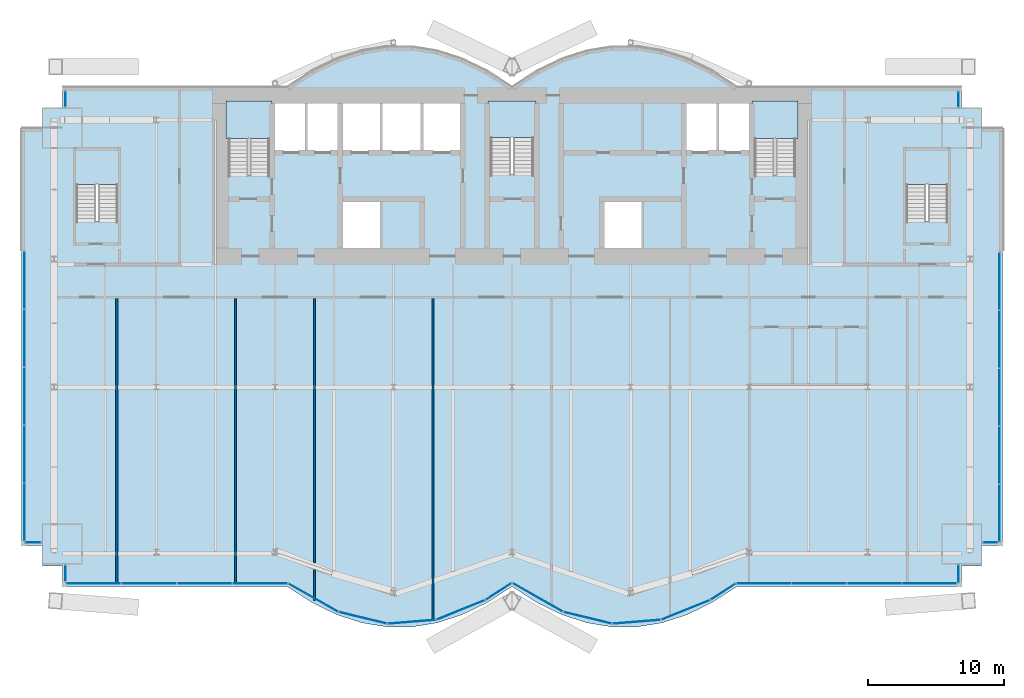
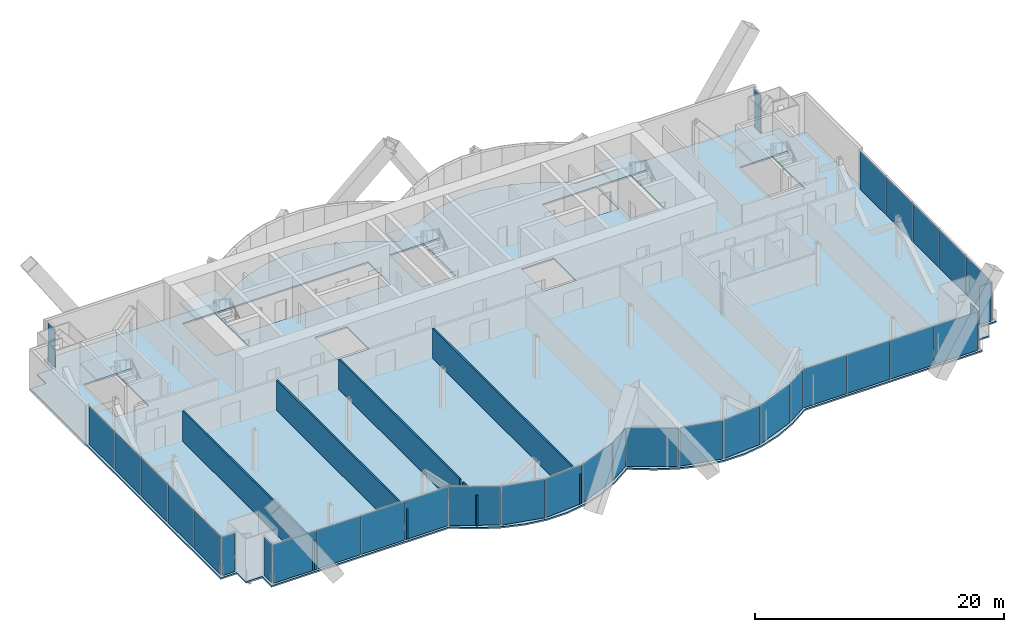
# One storey, part 14 of 21: 34 plates, 6 slabs, 5 walls, 17 elements without a shape of their own.
"""IFC4 building model written with IfcOpenShell, lengths in metres."""

from ifc_helpers import new_model, si_unit, direction, frame, frame_2d, origin, origin_2d, place, context, subcontext, project, spatial, polyline, rectangle, outline, extrude, material, layer, layer_set, type_object, element, aggregate, save


model = new_model("IFC4")

# Units and contexts
model_context = context("Model", 3, precision=1e-05, world=origin(), true_north=direction((0.0, 1.0)))
body_context = subcontext(model_context, "Body", "Model", "MODEL_VIEW")
ifc_project = project(units=[si_unit("LENGTHUNIT", "METRE"), si_unit("AREAUNIT", "SQUARE_METRE"), si_unit("VOLUMEUNIT", "CUBIC_METRE"), si_unit("PLANEANGLEUNIT", "RADIAN"), si_unit("MASSUNIT", "GRAM", prefix="KILO")], contexts=[model_context])

# Site, building, storey
site_placement = place(None, origin())
site = spatial("IfcSite", under=ifc_project, at=site_placement, CompositionType="ELEMENT")
building_placement = place(site_placement, origin())
building = spatial("IfcBuilding", under=site, at=building_placement, Name="Bicima Exchange Tower", CompositionType="ELEMENT")
storey_placement = place(building_placement, frame((0.0, 0.0, 130.89990234375)))
storey = spatial("IfcBuildingStorey", under=building, at=storey_placement, Name="L28", CompositionType="ELEMENT", Elevation=130.89990234375)

# Slab
ifc_material_1 = material(Name="Concrete C40/50", Category="concrete")
ifc_layer_1 = layer(ifc_material_1, 0.14990234375)
ifc_layer_set_1 = layer_set([ifc_layer_1], Name="Concrete C40/50")
slab_type_1 = type_object("IfcSlabType", Name="Composite floor slab 150", PredefinedType="FLOOR", material=ifc_layer_set_1)
slab_1_placement = place(storey_placement, frame((0.0, 0.0, -0.14990234375)))
element("IfcSlab", 1, at=slab_1_placement, inside=storey, type_object=slab_type_1, Name="Floor slab", PredefinedType="FLOOR", context=body_context, shape_type="SweptSolid", body=[
    extrude(outline(polyline([(-36.0, -33.632080078125), (-36.0, -3.0), (-34.5, -3.0), (-34.5, -1.5), (-33.0, -1.5), (-33.0, 0.0), (-16.5, 0.0), (-14.666748046875, 1.185302734375), (-12.833251953125, 2.07421875), (-11.0, 2.666748046875), (-9.166748046875, 2.962890625), (-7.333251953125, 2.962890625), (-5.5, 2.666748046875), (-3.666748046875, 2.07421875), (-1.833251953125, 1.185302734375), (0.0, 0.0), (1.833251953125, 1.185302734375), (3.666748046875, 2.07421875), (5.5, 2.666748046875), (7.333251953125, 2.962890625), (9.166748046875, 2.962890625), (11.0, 2.666748046875), (12.833251953125, 2.07421875), (14.666748046875, 1.185302734375), (16.5, 0.0), (33.0, 0.0), (33.0, -1.5), (34.5, -1.5), (34.5, -3.0), (36.0, -3.0), (36.0, -33.632080078125), (34.5, -33.632080078125), (34.5, -35.132080078125), (33.0, -35.132080078125), (33.0, -36.632080078125), (16.5, -36.632080078125), (14.666748046875, -37.817138671875), (12.833251953125, -38.7060546875), (11.0, -39.298583984375), (9.166748046875, -39.594970703125), (7.333251953125, -39.594970703125), (5.5, -39.298583984375), (3.666748046875, -38.7060546875), (1.833251953125, -37.817138671875), (0.0, -36.632080078125), (-1.833251953125, -37.817138671875), (-3.666748046875, -38.7060546875), (-5.5, -39.298583984375), (-7.333251953125, -39.594970703125), (-9.166748046875, -39.594970703125), (-11.0, -39.298583984375), (-12.833251953125, -38.7060546875), (-14.666748046875, -37.817138671875), (-16.5, -36.632080078125), (-33.0, -36.632080078125), (-33.0, -35.132080078125), (-34.5, -35.132080078125), (-34.5, -33.632080078125), (-36.0, -33.632080078125)]), holes=[polyline([(-9.60009765625, -11.800048828125), (-9.60009765625, -8.199951171875), (-12.60009765625, -8.199951171875), (-12.60009765625, -11.800048828125), (-9.60009765625, -11.800048828125)]), polyline([(-31.97509765625, -9.824951171875), (-28.925048828125, -9.824951171875), (-28.925048828125, -4.625), (-31.97509765625, -4.625), (-31.97509765625, -9.824951171875)]), polyline([(-20.800048828125, -6.449951171875), (-17.800048828125, -6.449951171875), (-17.800048828125, -1.199951171875), (-20.800048828125, -1.199951171875), (-20.800048828125, -6.449951171875)]), polyline([(-9.60009765625, -1.199951171875), (-12.60009765625, -1.199951171875), (-15.10009765625, -1.199951171875), (-17.60009765625, -1.199951171875), (-17.60009765625, -4.800048828125), (-15.10009765625, -4.800048828125), (-12.60009765625, -4.800048828125), (-9.60009765625, -4.800048828125), (-6.60009765625, -4.800048828125), (-3.60009765625, -4.800048828125), (-3.60009765625, -1.199951171875), (-6.60009765625, -1.199951171875), (-9.60009765625, -1.199951171875)]), polyline([(9.60009765625, -11.800048828125), (9.60009765625, -8.199951171875), (6.60009765625, -8.199951171875), (6.60009765625, -11.800048828125), (9.60009765625, -11.800048828125)]), polyline([(28.925048828125, -9.824951171875), (31.97509765625, -9.824951171875), (31.97509765625, -4.625), (28.925048828125, -4.625), (28.925048828125, -9.824951171875)]), polyline([(17.800048828125, -6.449951171875), (20.800048828125, -6.449951171875), (20.800048828125, -1.199951171875), (17.800048828125, -1.199951171875), (17.800048828125, -6.449951171875)]), polyline([(-1.574951171875, -6.39990234375), (1.574951171875, -6.39990234375), (1.574951171875, -1.199951171875), (-1.574951171875, -1.199951171875), (-1.574951171875, -6.39990234375)]), polyline([(17.60009765625, -4.800048828125), (17.60009765625, -1.199951171875), (15.10009765625, -1.199951171875), (12.60009765625, -1.199951171875), (12.60009765625, -4.800048828125), (15.10009765625, -4.800048828125), (17.60009765625, -4.800048828125)])]), origin(), (0.0, 0.0, 1.0), 0.14990234375),
])

# Curtain wall, plates
ifc_material_2 = material(Name="Anodised bronze aluminium", Category="aluminium")
curtain_wall_type_1 = type_object("IfcCurtainWallType", Name="End face glass wall", PredefinedType="NOTDEFINED", material=ifc_material_2)
curtain_wall_1_placement = place(storey_placement, origin())
curtain_wall_1 = element("IfcCurtainWall", 2, at=curtain_wall_1_placement, inside=storey, type_object=curtain_wall_type_1, Name="End face glass wall L28 run 2", PredefinedType="NOTDEFINED")
ifc_material_3 = material(Name="Bronze tinted glass", Category="glass")
ifc_layer_2 = layer(ifc_material_3, 0.031982421875)
ifc_layer_set_2 = layer_set([ifc_layer_2], Name="Bronze tinted glass")
plate_type_1 = type_object("IfcPlateType", Name="End face glass wall glass panel 32", PredefinedType="CURTAIN_PANEL", material=ifc_layer_set_2)
plate_1_placement = place(storey_placement, frame((-35.77001953125, -14.15625, 0.0), z_axis=(0.0, 0.0, 1.0), x_axis=(0.0, -1.0, 0.0)))
plate_1 = element("IfcPlate", 3, at=plate_1_placement, type_object=plate_type_1, Name="End face glass wall panel 1.1", PredefinedType="CURTAIN_PANEL", context=body_context, shape_type="SweptSolid", body=[
    extrude(rectangle(XDim=4.1923828125, YDim=0.031982421875, at=origin_2d()), origin(), (0.0, 0.0, 1.0), 3.760009765625),
])
plate_2_placement = place(storey_placement, frame((-35.77001953125, -18.40869140625, 0.0), z_axis=(0.0, 0.0, 1.0), x_axis=(0.0, -1.0, 0.0)))
plate_2 = element("IfcPlate", 4, at=plate_2_placement, type_object=plate_type_1, Name="End face glass wall panel 2.1", PredefinedType="CURTAIN_PANEL", context=body_context, shape_type="SweptSolid", body=[
    extrude(rectangle(XDim=4.1923828125, YDim=0.031982421875, at=origin_2d()), origin(), (0.0, 0.0, 1.0), 3.760009765625),
])
plate_3_placement = place(storey_placement, frame((-35.77001953125, -22.660888671875, 0.0), z_axis=(0.0, 0.0, 1.0), x_axis=(0.0, -1.0, 0.0)))
plate_3 = element("IfcPlate", 5, at=plate_3_placement, type_object=plate_type_1, Name="End face glass wall panel 3.1", PredefinedType="CURTAIN_PANEL", context=body_context, shape_type="SweptSolid", body=[
    extrude(rectangle(XDim=4.1923828125, YDim=0.031982421875, at=origin_2d()), origin(), (0.0, 0.0, 1.0), 3.760009765625),
])

curtain_wall_2_placement = place(storey_placement, origin())
curtain_wall_2 = element("IfcCurtainWall", 6, at=curtain_wall_2_placement, inside=storey, type_object=curtain_wall_type_1, Name="End face glass wall L28 run 19", PredefinedType="NOTDEFINED")
plate_4_placement = place(storey_placement, frame((35.77001953125, -22.740966796875, 0.0), z_axis=(0.0, 0.0, 1.0), x_axis=(0.0, 1.0, 0.0)))
plate_4 = element("IfcPlate", 7, at=plate_4_placement, type_object=plate_type_1, Name="End face glass wall panel 3.1", PredefinedType="CURTAIN_PANEL", context=body_context, shape_type="SweptSolid", body=[
    extrude(rectangle(XDim=4.1923828125, YDim=0.031982421875, at=origin_2d()), origin(), (0.0, 0.0, 1.0), 3.760009765625),
])
plate_5_placement = place(storey_placement, frame((35.77001953125, -18.488525390625, 0.0), z_axis=(0.0, 0.0, 1.0), x_axis=(0.0, 1.0, 0.0)))
plate_5 = element("IfcPlate", 8, at=plate_5_placement, type_object=plate_type_1, Name="End face glass wall panel 4.1", PredefinedType="CURTAIN_PANEL", context=body_context, shape_type="SweptSolid", body=[
    extrude(rectangle(XDim=4.1923828125, YDim=0.031982421875, at=origin_2d()), origin(), (0.0, 0.0, 1.0), 3.760009765625),
])
plate_6_placement = place(storey_placement, frame((35.77001953125, -14.236083984375, 0.0), z_axis=(0.0, 0.0, 1.0), x_axis=(0.0, 1.0, 0.0)))
plate_6 = element("IfcPlate", 9, at=plate_6_placement, type_object=plate_type_1, Name="End face glass wall panel 5.1", PredefinedType="CURTAIN_PANEL", context=body_context, shape_type="SweptSolid", body=[
    extrude(rectangle(XDim=4.1923828125, YDim=0.031982421875, at=origin_2d()), origin(), (0.0, 0.0, 1.0), 3.760009765625),
])

# Plate
ifc_material_4 = material(Name="Bronze anodised aluminium", Category="aluminium")
ifc_layer_3 = layer(ifc_material_4, 0.031982421875)
ifc_layer_set_3 = layer_set([ifc_layer_3], Name="Bronze anodised aluminium")
plate_type_2 = type_object("IfcPlateType", Name="End face glass wall spandrel panel 32", PredefinedType="CURTAIN_PANEL", material=ifc_layer_set_3)
plate_7_placement = place(storey_placement, frame((-35.77001953125, -26.913330078125, 0.0), z_axis=(0.0, 0.0, 1.0), x_axis=(0.0, -1.0, 0.0)))
plate_7 = element("IfcPlate", 10, at=plate_7_placement, type_object=plate_type_2, Name="End face spandrel wall panel 4.1", PredefinedType="CURTAIN_PANEL", context=body_context, shape_type="SweptSolid", body=[
    extrude(rectangle(XDim=4.1923828125, YDim=0.031982421875, at=origin_2d()), origin(), (0.0, 0.0, 1.0), 3.760009765625),
])

plate_8_placement = place(storey_placement, frame((-35.77001953125, -31.165771484375, 0.0), z_axis=(0.0, 0.0, 1.0), x_axis=(0.0, -1.0, 0.0)))
plate_8 = element("IfcPlate", 11, at=plate_8_placement, type_object=plate_type_2, Name="End face spandrel wall panel 5.1", PredefinedType="CURTAIN_PANEL", context=body_context, shape_type="SweptSolid", body=[
    extrude(rectangle(XDim=4.1923828125, YDim=0.031982421875, at=origin_2d()), origin(), (0.0, 0.0, 1.0), 3.760009765625),
])

aggregate(curtain_wall_1, [plate_1, plate_2, plate_3, plate_7, plate_8])

plate_9_placement = place(storey_placement, frame((35.77001953125, -31.245849609375, 0.0), z_axis=(0.0, 0.0, 1.0), x_axis=(0.0, 1.0, 0.0)))
plate_9 = element("IfcPlate", 12, at=plate_9_placement, type_object=plate_type_2, Name="End face spandrel wall panel 1.1", PredefinedType="CURTAIN_PANEL", context=body_context, shape_type="SweptSolid", body=[
    extrude(rectangle(XDim=4.1923828125, YDim=0.031982421875, at=origin_2d()), origin(), (0.0, 0.0, 1.0), 3.760009765625),
])

plate_10_placement = place(storey_placement, frame((35.77001953125, -26.993408203125, 0.0), z_axis=(0.0, 0.0, 1.0), x_axis=(0.0, 1.0, 0.0)))
plate_10 = element("IfcPlate", 13, at=plate_10_placement, type_object=plate_type_2, Name="End face spandrel wall panel 2.1", PredefinedType="CURTAIN_PANEL", context=body_context, shape_type="SweptSolid", body=[
    extrude(rectangle(XDim=4.1923828125, YDim=0.031982421875, at=origin_2d()), origin(), (0.0, 0.0, 1.0), 3.760009765625),
])

aggregate(curtain_wall_2, [plate_9, plate_10, plate_4, plate_5, plate_6])

# Curtain wall, plate
curtain_wall_type_2 = type_object("IfcCurtainWallType", Name="Front glass wall", PredefinedType="NOTDEFINED", material=ifc_material_2)
curtain_wall_3_placement = place(storey_placement, origin())
curtain_wall_3 = element("IfcCurtainWall", 14, at=curtain_wall_3_placement, inside=storey, type_object=curtain_wall_type_2, Name="Front glass wall L28 run 1", PredefinedType="NOTDEFINED")
ifc_layer_4 = layer(ifc_material_3, 0.031982421875)
ifc_layer_set_4 = layer_set([ifc_layer_4], Name="Bronze tinted glass")
plate_type_3 = type_object("IfcPlateType", Name="Front glass wall glass panel 32", PredefinedType="CURTAIN_PANEL", material=ifc_layer_set_4)
plate_11_placement = place(storey_placement, frame((-32.77001953125, -0.864990234375, 0.0), z_axis=(0.0, 0.0, 1.0), x_axis=(0.0, -1.0, 0.0)))
plate_11 = element("IfcPlate", 15, at=plate_11_placement, type_object=plate_type_3, Name="Front glass wall panel 1.1", PredefinedType="CURTAIN_PANEL", context=body_context, shape_type="SweptSolid", body=[
    extrude(rectangle(XDim=1.14990234375, YDim=0.031982421875, at=origin_2d()), origin(), (0.0, 0.0, 1.0), 3.760009765625),
])
aggregate(curtain_wall_3, [plate_11])

curtain_wall_4_placement = place(storey_placement, origin())
curtain_wall_4 = element("IfcCurtainWall", 16, at=curtain_wall_4_placement, inside=storey, type_object=curtain_wall_type_2, Name="Front glass wall L28 run 3", PredefinedType="NOTDEFINED")
plate_12_placement = place(storey_placement, frame((-35.135009765625, -33.402099609375, 0.0), z_axis=(0.0, 0.0, 1.0), x_axis=(1.0, 0.0, 0.0)))
plate_12 = element("IfcPlate", 17, at=plate_12_placement, type_object=plate_type_3, Name="Front glass wall panel 1.1", PredefinedType="CURTAIN_PANEL", context=body_context, shape_type="SweptSolid", body=[
    extrude(rectangle(XDim=1.14990234375, YDim=0.031982421875, at=origin_2d()), origin(), (0.0, 0.0, 1.0), 3.760009765625),
])
aggregate(curtain_wall_4, [plate_12])

curtain_wall_5_placement = place(storey_placement, origin())
curtain_wall_5 = element("IfcCurtainWall", 18, at=curtain_wall_5_placement, inside=storey, type_object=curtain_wall_type_2, Name="Front glass wall L28 run 4", PredefinedType="NOTDEFINED")
plate_13_placement = place(storey_placement, frame((-32.77001953125, -35.666015625, 0.0), z_axis=(0.0, 0.0, 1.0), x_axis=(0.0, -1.0, 0.0)))
plate_13 = element("IfcPlate", 19, at=plate_13_placement, type_object=plate_type_3, Name="Front glass wall panel 1.1", PredefinedType="CURTAIN_PANEL", context=body_context, shape_type="SweptSolid", body=[
    extrude(rectangle(XDim=1.19189453125, YDim=0.031982421875, at=origin_2d()), origin(), (0.0, 0.0, 1.0), 3.760009765625),
])
aggregate(curtain_wall_5, [plate_13])

# Curtain wall, plates
curtain_wall_6_placement = place(storey_placement, origin())
curtain_wall_6 = element("IfcCurtainWall", 20, at=curtain_wall_6_placement, inside=storey, type_object=curtain_wall_type_2, Name="Front glass wall L28 run 5", PredefinedType="NOTDEFINED")
plate_14_placement = place(storey_placement, frame((-22.56640625, -36.402099609375, 0.0), z_axis=(0.0, 0.0, 1.0), x_axis=(1.0, 0.0, 0.0)))
plate_14 = element("IfcPlate", 21, at=plate_14_placement, type_object=plate_type_3, Name="Front glass wall panel 3.1", PredefinedType="CURTAIN_PANEL", context=body_context, shape_type="SweptSolid", body=[
    extrude(rectangle(XDim=4.009521484375, YDim=0.031982421875, at=origin_2d()), origin(), (0.0, 0.0, 1.0), 3.760009765625),
])
plate_15_placement = place(storey_placement, frame((-18.496826171875, -36.402099609375, 0.0), z_axis=(0.0, 0.0, 1.0), x_axis=(1.0, 0.0, 0.0)))
plate_15 = element("IfcPlate", 22, at=plate_15_placement, type_object=plate_type_3, Name="Front glass wall panel 4.1", PredefinedType="CURTAIN_PANEL", context=body_context, shape_type="SweptSolid", body=[
    extrude(rectangle(XDim=4.009521484375, YDim=0.031982421875, at=origin_2d()), origin(), (0.0, 0.0, 1.0), 3.760009765625),
])

curtain_wall_7_placement = place(storey_placement, origin())
curtain_wall_7 = element("IfcCurtainWall", 23, at=curtain_wall_7_placement, inside=storey, type_object=curtain_wall_type_2, Name="Front glass wall L28 run 6", PredefinedType="NOTDEFINED")
plate_16_placement = place(storey_placement, frame((-14.589599609375, -37.447021484375, 0.0), z_axis=(0.0, 0.0, 1.0), x_axis=(0.869805110681, -0.493395449343, 0.0)))
plate_16 = element("IfcPlate", 24, at=plate_16_placement, type_object=plate_type_3, Name="Front glass wall panel 1.1", PredefinedType="CURTAIN_PANEL", context=body_context, shape_type="SweptSolid", body=[
    extrude(rectangle(XDim=4.1162109375, YDim=0.031982421875, at=origin_2d()), origin(), (0.0, 0.0, 1.0), 3.760009765625),
])
plate_17_placement = place(storey_placement, frame((-10.94775390625, -38.9287109375, 0.0), z_axis=(0.0, 0.0, 1.0), x_axis=(0.971830343553, -0.235681529503, 0.0)))
plate_17 = element("IfcPlate", 25, at=plate_17_placement, type_object=plate_type_3, Name="Front glass wall panel 1.1", PredefinedType="CURTAIN_PANEL", context=body_context, shape_type="SweptSolid", body=[
    extrude(rectangle(XDim=3.583251953125, YDim=0.031982421875, at=origin_2d()), origin(), (0.0, 0.0, 1.0), 3.760009765625),
])
plate_18_placement = place(storey_placement, frame((-0.97314453125, -36.9873046875, 0.0), z_axis=(0.0, 0.0, 1.0), x_axis=(0.839798994301, 0.542897457326, 0.0)))
plate_18 = element("IfcPlate", 26, at=plate_18_placement, type_object=plate_type_3, Name="Front glass wall panel 1.1", PredefinedType="CURTAIN_PANEL", context=body_context, shape_type="SweptSolid", body=[
    extrude(rectangle(XDim=2.197509765625, YDim=0.031982421875, at=origin_2d()), origin(), (0.0, 0.0, 1.0), 3.760009765625),
])

curtain_wall_8_placement = place(storey_placement, origin())
curtain_wall_8 = element("IfcCurtainWall", 27, at=curtain_wall_8_placement, inside=storey, type_object=curtain_wall_type_2, Name="Front glass wall L28 run 11", PredefinedType="NOTDEFINED")
plate_19_placement = place(storey_placement, frame((9.14892578125, -39.2197265625, 0.0), z_axis=(0.0, 0.0, 1.0), x_axis=(0.99674744821, 0.080588612633, 0.0)))
plate_19 = element("IfcPlate", 28, at=plate_19_placement, type_object=plate_type_3, Name="Front glass wall panel 1.1", PredefinedType="CURTAIN_PANEL", context=body_context, shape_type="SweptSolid", body=[
    extrude(rectangle(XDim=3.486083984375, YDim=0.031982421875, at=origin_2d()), origin(), (0.0, 0.0, 1.0), 3.760009765625),
])
plate_20_placement = place(storey_placement, frame((12.749755859375, -38.345458984375, 0.0), z_axis=(0.0, 0.0, 1.0), x_axis=(0.92714396679, 0.374705304, 0.0)))
plate_20 = element("IfcPlate", 29, at=plate_20_placement, type_object=plate_type_3, Name="Front glass wall panel 1.1", PredefinedType="CURTAIN_PANEL", context=body_context, shape_type="SweptSolid", body=[
    extrude(rectangle(XDim=3.771240234375, YDim=0.031982421875, at=origin_2d()), origin(), (0.0, 0.0, 1.0), 3.760009765625),
])
plate_21_placement = place(storey_placement, frame((15.492919921875, -37.00927734375, 0.0), z_axis=(0.0, 0.0, 1.0), x_axis=(0.839791413941, 0.542909183079, 0.0)))
plate_21 = element("IfcPlate", 30, at=plate_21_placement, type_object=plate_type_3, Name="Front glass wall panel 1.1", PredefinedType="CURTAIN_PANEL", context=body_context, shape_type="SweptSolid", body=[
    extrude(rectangle(XDim=2.11669921875, YDim=0.031982421875, at=origin_2d()), origin(), (0.0, 0.0, 1.0), 3.760009765625),
])

curtain_wall_9_placement = place(storey_placement, origin())
curtain_wall_9 = element("IfcCurtainWall", 31, at=curtain_wall_9_placement, inside=storey, type_object=curtain_wall_type_2, Name="Front glass wall L28 run 16", PredefinedType="NOTDEFINED")
plate_22_placement = place(storey_placement, frame((18.48681640625, -36.402099609375, 0.0), z_axis=(0.0, 0.0, 1.0), x_axis=(1.0, 0.0, 0.0)))
plate_22 = element("IfcPlate", 32, at=plate_22_placement, type_object=plate_type_3, Name="Front glass wall panel 1.1", PredefinedType="CURTAIN_PANEL", context=body_context, shape_type="SweptSolid", body=[
    extrude(rectangle(XDim=3.989501953125, YDim=0.031982421875, at=origin_2d()), origin(), (0.0, 0.0, 1.0), 3.760009765625),
])
plate_23_placement = place(storey_placement, frame((22.536376953125, -36.402099609375, 0.0), z_axis=(0.0, 0.0, 1.0), x_axis=(1.0, 0.0, 0.0)))
plate_23 = element("IfcPlate", 33, at=plate_23_placement, type_object=plate_type_3, Name="Front glass wall panel 2.1", PredefinedType="CURTAIN_PANEL", context=body_context, shape_type="SweptSolid", body=[
    extrude(rectangle(XDim=3.989501953125, YDim=0.031982421875, at=origin_2d()), origin(), (0.0, 0.0, 1.0), 3.760009765625),
])

# Curtain wall, plate
curtain_wall_10_placement = place(storey_placement, origin())
curtain_wall_10 = element("IfcCurtainWall", 34, at=curtain_wall_10_placement, inside=storey, type_object=curtain_wall_type_2, Name="Front glass wall L28 run 17", PredefinedType="NOTDEFINED")
plate_24_placement = place(storey_placement, frame((32.77001953125, -35.7060546875, 0.0), z_axis=(0.0, 0.0, 1.0), x_axis=(0.0, 1.0, 0.0)))
plate_24 = element("IfcPlate", 35, at=plate_24_placement, type_object=plate_type_3, Name="Front glass wall panel 1.1", PredefinedType="CURTAIN_PANEL", context=body_context, shape_type="SweptSolid", body=[
    extrude(rectangle(XDim=1.27197265625, YDim=0.031982421875, at=origin_2d()), origin(), (0.0, 0.0, 1.0), 3.760009765625),
])
aggregate(curtain_wall_10, [plate_24])

curtain_wall_11_placement = place(storey_placement, origin())
curtain_wall_11 = element("IfcCurtainWall", 36, at=curtain_wall_11_placement, inside=storey, type_object=curtain_wall_type_2, Name="Front glass wall L28 run 18", PredefinedType="NOTDEFINED")
plate_25_placement = place(storey_placement, frame((35.094970703125, -33.402099609375, 0.0), z_axis=(0.0, 0.0, 1.0), x_axis=(1.0, 0.0, 0.0)))
plate_25 = element("IfcPlate", 37, at=plate_25_placement, type_object=plate_type_3, Name="Front glass wall panel 1.1", PredefinedType="CURTAIN_PANEL", context=body_context, shape_type="SweptSolid", body=[
    extrude(rectangle(XDim=1.070068359375, YDim=0.031982421875, at=origin_2d()), origin(), (0.0, 0.0, 1.0), 3.760009765625),
])
aggregate(curtain_wall_11, [plate_25])

curtain_wall_12_placement = place(storey_placement, origin())
curtain_wall_12 = element("IfcCurtainWall", 38, at=curtain_wall_12_placement, inside=storey, type_object=curtain_wall_type_2, Name="Front glass wall L28 run 20", PredefinedType="NOTDEFINED")
plate_26_placement = place(storey_placement, frame((32.77001953125, -0.905029296875, 0.0), z_axis=(0.0, 0.0, 1.0), x_axis=(0.0, 1.0, 0.0)))
plate_26 = element("IfcPlate", 39, at=plate_26_placement, type_object=plate_type_3, Name="Front glass wall panel 1.1", PredefinedType="CURTAIN_PANEL", context=body_context, shape_type="SweptSolid", body=[
    extrude(rectangle(XDim=1.070068359375, YDim=0.031982421875, at=origin_2d()), origin(), (0.0, 0.0, 1.0), 3.760009765625),
])
aggregate(curtain_wall_12, [plate_26])

# Plate
ifc_layer_5 = layer(ifc_material_4, 0.031982421875)
ifc_layer_set_5 = layer_set([ifc_layer_5], Name="Bronze anodised aluminium")
plate_type_4 = type_object("IfcPlateType", Name="Front glass wall spandrel panel 32", PredefinedType="CURTAIN_PANEL", material=ifc_layer_set_5)
plate_27_placement = place(storey_placement, frame((-30.705322265625, -36.402099609375, 0.0), z_axis=(0.0, 0.0, 1.0), x_axis=(1.0, 0.0, 0.0)))
plate_27 = element("IfcPlate", 40, at=plate_27_placement, type_object=plate_type_4, Name="Front spandrel wall panel 1.1", PredefinedType="CURTAIN_PANEL", context=body_context, shape_type="SweptSolid", body=[
    extrude(rectangle(XDim=4.009521484375, YDim=0.031982421875, at=origin_2d()), origin(), (0.0, 0.0, 1.0), 3.760009765625),
])

plate_28_placement = place(storey_placement, frame((-26.6357421875, -36.402099609375, 0.0), z_axis=(0.0, 0.0, 1.0), x_axis=(1.0, 0.0, 0.0)))
plate_28 = element("IfcPlate", 41, at=plate_28_placement, type_object=plate_type_4, Name="Front spandrel wall panel 2.1", PredefinedType="CURTAIN_PANEL", context=body_context, shape_type="SweptSolid", body=[
    extrude(rectangle(XDim=4.009521484375, YDim=0.031982421875, at=origin_2d()), origin(), (0.0, 0.0, 1.0), 3.760009765625),
])

aggregate(curtain_wall_6, [plate_27, plate_28, plate_14, plate_15])

plate_29_placement = place(storey_placement, frame((-7.35107421875, -39.2197265625, 0.0), z_axis=(0.0, 0.0, 1.0), x_axis=(0.99674744821, 0.080588612633, 0.0)))
plate_29 = element("IfcPlate", 42, at=plate_29_placement, type_object=plate_type_4, Name="Front spandrel wall panel 1.1", PredefinedType="CURTAIN_PANEL", context=body_context, shape_type="SweptSolid", body=[
    extrude(rectangle(XDim=3.486083984375, YDim=0.031982421875, at=origin_2d()), origin(), (0.0, 0.0, 1.0), 3.760009765625),
])

plate_30_placement = place(storey_placement, frame((-3.750244140625, -38.345458984375, 0.0), z_axis=(0.0, 0.0, 1.0), x_axis=(0.92714396679, 0.374705304, 0.0)))
plate_30 = element("IfcPlate", 43, at=plate_30_placement, type_object=plate_type_4, Name="Front spandrel wall panel 1.1", PredefinedType="CURTAIN_PANEL", context=body_context, shape_type="SweptSolid", body=[
    extrude(rectangle(XDim=3.771240234375, YDim=0.031982421875, at=origin_2d()), origin(), (0.0, 0.0, 1.0), 3.760009765625),
])

aggregate(curtain_wall_7, [plate_16, plate_17, plate_29, plate_30, plate_18])

plate_31_placement = place(storey_placement, frame((1.876220703125, -37.42529296875, 0.0), z_axis=(0.0, 0.0, 1.0), x_axis=(0.869274147378, -0.494330311331, 0.0)))
plate_31 = element("IfcPlate", 44, at=plate_31_placement, type_object=plate_type_4, Name="Front spandrel wall panel 1.1", PredefinedType="CURTAIN_PANEL", context=body_context, shape_type="SweptSolid", body=[
    extrude(rectangle(XDim=4.197021484375, YDim=0.031982421875, at=origin_2d()), origin(), (0.0, 0.0, 1.0), 3.760009765625),
])

plate_32_placement = place(storey_placement, frame((5.55224609375, -38.9287109375, 0.0), z_axis=(0.0, 0.0, 1.0), x_axis=(0.971830343553, -0.235681529503, 0.0)))
plate_32 = element("IfcPlate", 45, at=plate_32_placement, type_object=plate_type_4, Name="Front spandrel wall panel 1.1", PredefinedType="CURTAIN_PANEL", context=body_context, shape_type="SweptSolid", body=[
    extrude(rectangle(XDim=3.583251953125, YDim=0.031982421875, at=origin_2d()), origin(), (0.0, 0.0, 1.0), 3.760009765625),
])

aggregate(curtain_wall_8, [plate_31, plate_32, plate_19, plate_20, plate_21])

plate_33_placement = place(storey_placement, frame((26.585693359375, -36.402099609375, 0.0), z_axis=(0.0, 0.0, 1.0), x_axis=(1.0, 0.0, 0.0)))
plate_33 = element("IfcPlate", 46, at=plate_33_placement, type_object=plate_type_4, Name="Front spandrel wall panel 3.1", PredefinedType="CURTAIN_PANEL", context=body_context, shape_type="SweptSolid", body=[
    extrude(rectangle(XDim=3.989501953125, YDim=0.031982421875, at=origin_2d()), origin(), (0.0, 0.0, 1.0), 3.760009765625),
])

plate_34_placement = place(storey_placement, frame((30.63525390625, -36.402099609375, 0.0), z_axis=(0.0, 0.0, 1.0), x_axis=(1.0, 0.0, 0.0)))
plate_34 = element("IfcPlate", 47, at=plate_34_placement, type_object=plate_type_4, Name="Front spandrel wall panel 4.1", PredefinedType="CURTAIN_PANEL", context=body_context, shape_type="SweptSolid", body=[
    extrude(rectangle(XDim=3.989501953125, YDim=0.031982421875, at=origin_2d()), origin(), (0.0, 0.0, 1.0), 3.760009765625),
])

aggregate(curtain_wall_9, [plate_22, plate_23, plate_33, plate_34])

# Stair, slab
ifc_material_5 = material(Name="Concrete C50/60", Category="concrete")
stair_type_1 = type_object("IfcStairType", Name="Exit stair", PredefinedType="HALF_TURN_STAIR", material=ifc_material_5)
stair_1_placement = place(storey_placement, origin())
stair_1 = element("IfcStair", 48, at=stair_1_placement, inside=storey, type_object=stair_type_1, Name="L28 West exit stair", PredefinedType="HALF_TURN_STAIR")
ifc_layer_6 = layer(ifc_material_5, 0.199951171875)
ifc_layer_set_6 = layer_set([ifc_layer_6], Name="Concrete C50/60")
slab_type_2 = type_object("IfcSlabType", Name="Stair landing slab", PredefinedType="LANDING", material=ifc_layer_set_6)
slab_2_placement = place(storey_placement, frame((0.0, 0.0, 1.85009765625)))
slab_2 = element("IfcSlab", 49, at=slab_2_placement, type_object=slab_type_2, Name="ST-W landing 1", PredefinedType="LANDING", context=body_context, shape_type="SweptSolid", body=[
    extrude(outline(polyline([(-17.60009765625, -3.75), (-17.60009765625, -1.0), (-21.0, -1.0), (-21.0, -3.75), (-17.60009765625, -3.75)])), origin(), (0.0, 0.0, 1.0), 0.199951171875),
])
aggregate(stair_1, [slab_2])

stair_type_2 = type_object("IfcStairType", Name="Exit stair 1500", PredefinedType="HALF_TURN_STAIR", material=ifc_material_5)
stair_2_placement = place(storey_placement, origin())
stair_2 = element("IfcStair", 50, at=stair_2_placement, inside=storey, type_object=stair_type_2, Name="L28 Central exit stair", PredefinedType="HALF_TURN_STAIR")
slab_3_placement = place(storey_placement, frame((0.0, 0.0, 1.85009765625)))
slab_3 = element("IfcSlab", 51, at=slab_3_placement, type_object=slab_type_2, Name="ST-C landing 1", PredefinedType="LANDING", context=body_context, shape_type="SweptSolid", body=[
    extrude(outline(polyline([(1.77490234375, -3.699951171875), (1.77490234375, -1.0), (-1.77490234375, -1.0), (-1.77490234375, -3.699951171875), (1.77490234375, -3.699951171875)])), origin(), (0.0, 0.0, 1.0), 0.199951171875),
])
aggregate(stair_2, [slab_3])

stair_3_placement = place(storey_placement, origin())
stair_3 = element("IfcStair", 52, at=stair_3_placement, inside=storey, type_object=stair_type_1, Name="L28 East exit stair", PredefinedType="HALF_TURN_STAIR")
slab_4_placement = place(storey_placement, frame((0.0, 0.0, 1.85009765625)))
slab_4 = element("IfcSlab", 53, at=slab_4_placement, type_object=slab_type_2, Name="ST-E landing 1", PredefinedType="LANDING", context=body_context, shape_type="SweptSolid", body=[
    extrude(outline(polyline([(21.0, -3.75), (21.0, -1.0), (17.60009765625, -1.0), (17.60009765625, -3.75), (21.0, -3.75)])), origin(), (0.0, 0.0, 1.0), 0.199951171875),
])
aggregate(stair_3, [slab_4])

stair_4_placement = place(storey_placement, origin())
stair_4 = element("IfcStair", 54, at=stair_4_placement, inside=storey, type_object=stair_type_1, Name="L28 West end exit stair", PredefinedType="HALF_TURN_STAIR")
slab_5_placement = place(storey_placement, frame((0.0, 0.0, 1.85009765625)))
slab_5 = element("IfcSlab", 55, at=slab_5_placement, type_object=slab_type_2, Name="ST-WW landing 1", PredefinedType="LANDING", context=body_context, shape_type="SweptSolid", body=[
    extrude(outline(polyline([(-28.72509765625, -7.125), (-28.72509765625, -4.425048828125), (-32.175048828125, -4.425048828125), (-32.175048828125, -7.125), (-28.72509765625, -7.125)])), origin(), (0.0, 0.0, 1.0), 0.199951171875),
])
aggregate(stair_4, [slab_5])

stair_5_placement = place(storey_placement, origin())
stair_5 = element("IfcStair", 56, at=stair_5_placement, inside=storey, type_object=stair_type_1, Name="L28 East end exit stair", PredefinedType="HALF_TURN_STAIR")
slab_6_placement = place(storey_placement, frame((0.0, 0.0, 1.85009765625)))
slab_6 = element("IfcSlab", 57, at=slab_6_placement, type_object=slab_type_2, Name="ST-EE landing 1", PredefinedType="LANDING", context=body_context, shape_type="SweptSolid", body=[
    extrude(outline(polyline([(32.175048828125, -7.125), (32.175048828125, -4.425048828125), (28.72509765625, -4.425048828125), (28.72509765625, -7.125), (32.175048828125, -7.125)])), origin(), (0.0, 0.0, 1.0), 0.199951171875),
])
aggregate(stair_5, [slab_6])

# Walls
ifc_material_6 = material(Name="Gypsum board partition")
ifc_layer_7 = layer(ifc_material_6, 0.14990234375)
ifc_layer_set_7 = layer_set([ifc_layer_7], Name="Gypsum board partition")
wall_type = type_object("IfcWallType", Name="Gypsum partition 150", PredefinedType="PARTITIONING", material=ifc_layer_set_7)
for number, where, z_axis, x_axis, name in (
    (58, (-29.0, -36.419921875, 0.0), (0.0, 0.0, 1.0), (0.0, 1.0, 0.0), "partition wall 13"),
    (59, (-20.300048828125, -36.419921875, 0.0), (0.0, 0.0, 1.0), (0.0, 1.0, 0.0), "partition wall 16"),
):
    element("IfcWall", number, at=place(storey_placement, frame(where, z_axis=z_axis, x_axis=x_axis)), inside=storey, type_object=wall_type, Name=name, PredefinedType="PARTITIONING", context=body_context, shape_type="SweptSolid", body=[
        extrude(rectangle(XDim=20.919921875, YDim=0.14990234375, at=frame_2d((10.4599609375, 0.0))), origin(), (0.0, 0.0, 1.0), 2.96826171875),
    ])
wall_1_placement = place(storey_placement, frame((-14.5, -37.659912109375, 0.0), z_axis=(0.0, 0.0, 1.0), x_axis=(0.0, 1.0, 0.0)))
element("IfcWall", 60, at=wall_1_placement, inside=storey, type_object=wall_type, Name="partition wall 17", PredefinedType="PARTITIONING", context=body_context, shape_type="SweptSolid", body=[
    extrude(rectangle(XDim=2.268310546875, YDim=0.14990234375, at=frame_2d((1.13427734375, 0.0))), origin(), (0.0, 0.0, 1.0), 2.96826171875),
])
wall_2_placement = place(storey_placement, frame((-14.5, -34.90380859375, 0.0), z_axis=(0.0, 0.0, 1.0), x_axis=(0.0, 1.0, 0.0)))
element("IfcWall", 61, at=wall_2_placement, inside=storey, type_object=wall_type, Name="partition wall 18", PredefinedType="PARTITIONING", context=body_context, shape_type="SweptSolid", body=[
    extrude(rectangle(XDim=19.40380859375, YDim=0.14990234375, at=frame_2d((9.701904296875, 0.0))), origin(), (0.0, 0.0, 1.0), 2.96826171875),
])
wall_3_placement = place(storey_placement, frame((-5.800048828125, -39.1298828125, 0.0), z_axis=(0.0, 0.0, 1.0), x_axis=(0.0, 1.0, 0.0)))
element("IfcWall", 62, at=wall_3_placement, inside=storey, type_object=wall_type, Name="partition wall 19", PredefinedType="PARTITIONING", context=body_context, shape_type="SweptSolid", body=[
    extrude(rectangle(XDim=23.6298828125, YDim=0.14990234375, at=frame_2d((11.81494140625, 0.0))), origin(), (0.0, 0.0, 1.0), 2.96826171875),
])

save(model, "model.ifc")
